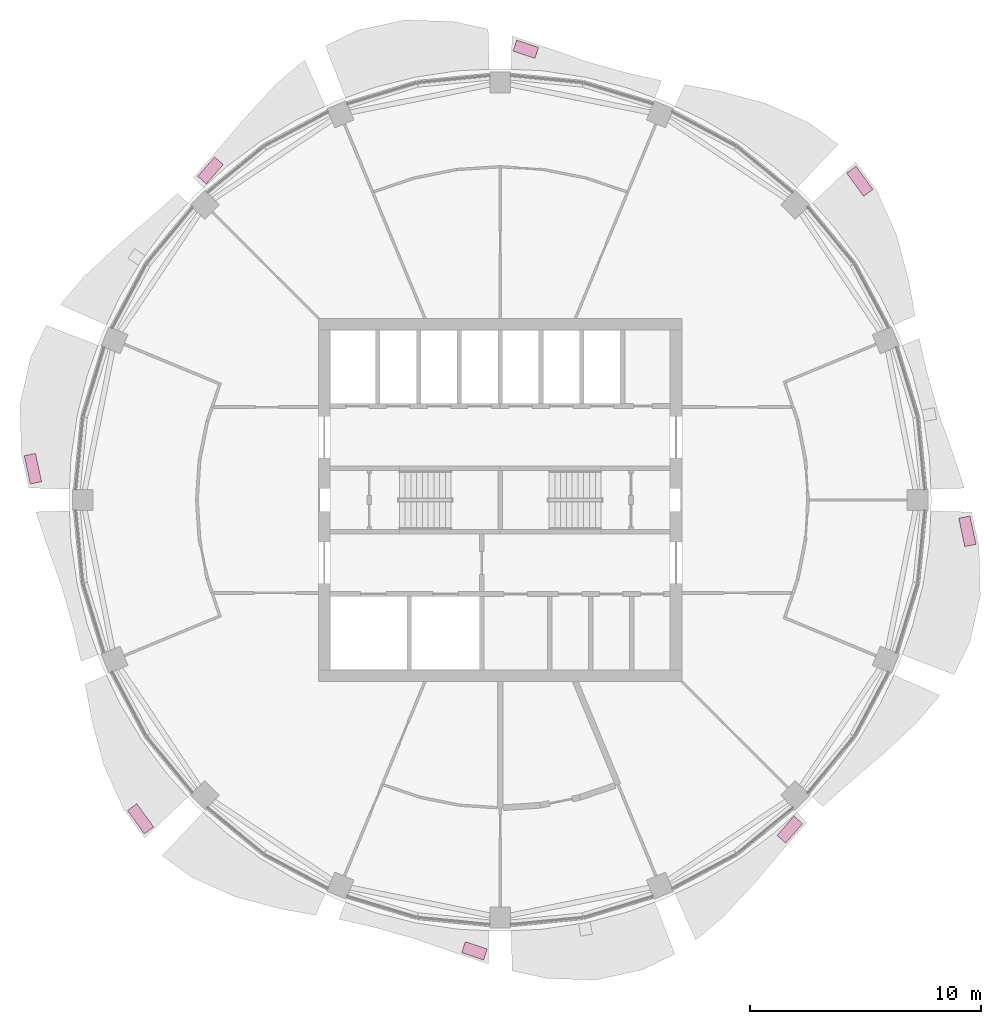
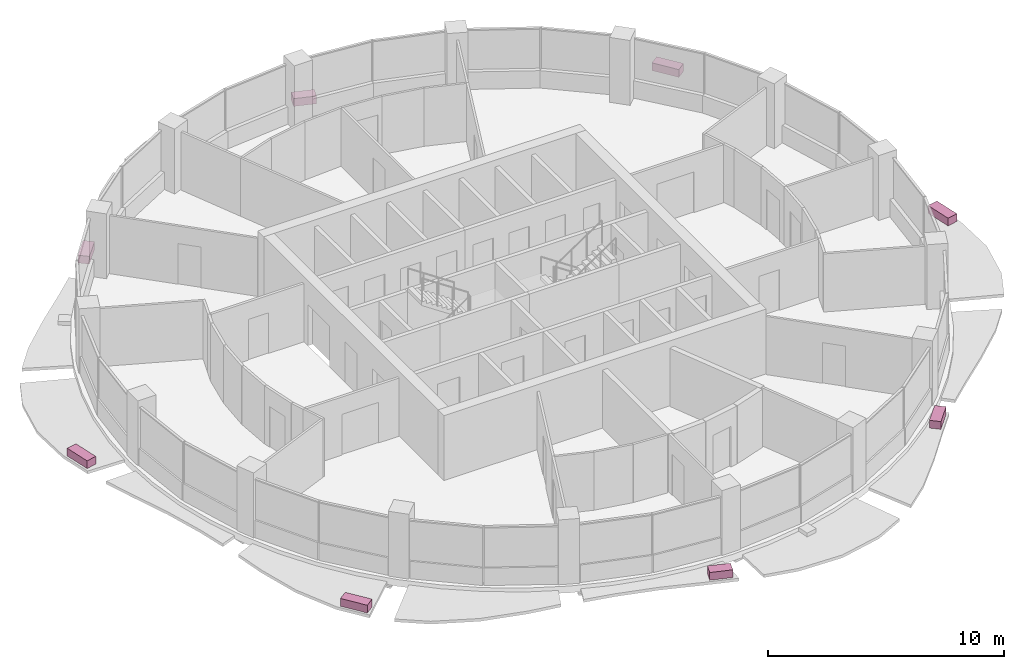
# One storey, part 15 of 15: 8 furniture elements.
"""IFC4 building model written with IfcOpenShell, lengths in metres."""

from ifc_helpers import new_model, si_unit, direction, frame, origin, origin_2d, place, context, subcontext, project, spatial, rectangle, extrude, material, type_object, element, save


model = new_model("IFC4")

# Units and contexts
model_context = context("Model", 3, precision=1e-05, world=origin(), true_north=direction((0.0, 1.0)))
body_context = subcontext(model_context, "Body", "Model", "MODEL_VIEW")
ifc_project = project(units=[si_unit("LENGTHUNIT", "METRE"), si_unit("AREAUNIT", "SQUARE_METRE"), si_unit("VOLUMEUNIT", "CUBIC_METRE"), si_unit("PLANEANGLEUNIT", "RADIAN"), si_unit("MASSUNIT", "GRAM", prefix="KILO")], contexts=[model_context])

# Site, building, storey
site_placement = place(None, origin())
site = spatial("IfcSite", under=ifc_project, at=site_placement, CompositionType="ELEMENT")
building_placement = place(site_placement, origin())
building = spatial("IfcBuilding", under=site, at=building_placement, Name="Polderwave Tower", CompositionType="ELEMENT")
storey_placement = place(building_placement, frame((0.0, 0.0, 170.89990234375)))
storey = spatial("IfcBuildingStorey", under=building, at=storey_placement, Name="L45", CompositionType="ELEMENT", Elevation=170.89990234375)

# Furniture
ifc_material = material(Name="Terracotta", Category="masonry")
furniture_type = type_object("IfcFurnitureType", Name="Terracotta planting trough", AssemblyPlace="NOTDEFINED", PredefinedType="USERDEFINED", material=ifc_material)
furniture_1_placement = place(storey_placement, frame((15.591796875, 13.820556640625, -0.199951171875), z_axis=(0.0, 0.0, 1.0), x_axis=(-0.589780029761, 0.80756393957, 0.0)))
element("IfcFurniture", 1, at=furniture_1_placement, inside=storey, type_object=furniture_type, Name="Planting trough L45 2", ObjectType="PLANTER", PredefinedType="USERDEFINED", context=body_context, shape_type="SweptSolid", body=[
    extrude(rectangle(XDim=1.2470703125, YDim=0.5, at=origin_2d()), origin(), (0.0, 0.0, 1.0), 0.39990234375),
])
furniture_2_placement = place(storey_placement, frame((1.11328125, 19.545654296875, -0.199951171875), z_axis=(0.0, 0.0, 1.0), x_axis=(-0.948888681844, 0.315610946368, 0.0)))
element("IfcFurniture", 2, at=furniture_2_placement, inside=storey, type_object=furniture_type, Name="Planting trough L45 4", ObjectType="PLANTER", PredefinedType="USERDEFINED", context=body_context, shape_type="SweptSolid", body=[
    extrude(rectangle(XDim=0.998291015625, YDim=0.5, at=origin_2d()), origin(), (0.0, 0.0, 1.0), 0.39990234375),
])
furniture_3_placement = place(storey_placement, frame((-12.560302734375, 14.289306640625, -0.199951171875), z_axis=(0.0, 0.0, 1.0), x_axis=(-0.660562678764, -0.75077090209, 0.0)))
element("IfcFurniture", 3, at=furniture_3_placement, inside=storey, type_object=furniture_type, Name="Planting trough L45 6", ObjectType="PLANTER", PredefinedType="USERDEFINED", context=body_context, shape_type="SweptSolid", body=[
    extrude(rectangle(XDim=1.119873046875, YDim=0.5, at=origin_2d()), origin(), (0.0, 0.0, 1.0), 0.39990234375),
])
furniture_4_placement = place(storey_placement, frame((-20.25830078125, 1.356201171875, -0.199951171875), z_axis=(0.0, 0.0, 1.0), x_axis=(0.208693517155, -0.977981091789, 0.0)))
element("IfcFurniture", 4, at=furniture_4_placement, inside=storey, type_object=furniture_type, Name="Planting trough L45 8", ObjectType="PLANTER", PredefinedType="USERDEFINED", context=body_context, shape_type="SweptSolid", body=[
    extrude(rectangle(XDim=1.25830078125, YDim=0.5, at=origin_2d()), origin(), (0.0, 0.0, 1.0), 0.39990234375),
])
furniture_5_placement = place(storey_placement, frame((-15.591796875, -13.820556640625, -0.199951171875), z_axis=(0.0, 0.0, 1.0), x_axis=(0.589780029761, -0.80756393957, 0.0)))
element("IfcFurniture", 5, at=furniture_5_placement, inside=storey, type_object=furniture_type, Name="Planting trough L45 10", ObjectType="PLANTER", PredefinedType="USERDEFINED", context=body_context, shape_type="SweptSolid", body=[
    extrude(rectangle(XDim=1.2470703125, YDim=0.5, at=origin_2d()), origin(), (0.0, 0.0, 1.0), 0.39990234375),
])
furniture_6_placement = place(storey_placement, frame((-1.11328125, -19.545654296875, -0.199951171875), z_axis=(0.0, 0.0, 1.0), x_axis=(0.948888681844, -0.315610946368, 0.0)))
element("IfcFurniture", 6, at=furniture_6_placement, inside=storey, type_object=furniture_type, Name="Planting trough L45 12", ObjectType="PLANTER", PredefinedType="USERDEFINED", context=body_context, shape_type="SweptSolid", body=[
    extrude(rectangle(XDim=0.998291015625, YDim=0.5, at=origin_2d()), origin(), (0.0, 0.0, 1.0), 0.39990234375),
])
furniture_7_placement = place(storey_placement, frame((12.560302734375, -14.289306640625, -0.199951171875), z_axis=(0.0, 0.0, 1.0), x_axis=(0.660562678764, 0.75077090209, 0.0)))
element("IfcFurniture", 7, at=furniture_7_placement, inside=storey, type_object=furniture_type, Name="Planting trough L45 14", ObjectType="PLANTER", PredefinedType="USERDEFINED", context=body_context, shape_type="SweptSolid", body=[
    extrude(rectangle(XDim=1.119873046875, YDim=0.5, at=origin_2d()), origin(), (0.0, 0.0, 1.0), 0.39990234375),
])
furniture_8_placement = place(storey_placement, frame((20.25830078125, -1.356201171875, -0.199951171875), z_axis=(0.0, 0.0, 1.0), x_axis=(-0.208693517155, 0.977981091789, 0.0)))
element("IfcFurniture", 8, at=furniture_8_placement, inside=storey, type_object=furniture_type, Name="Planting trough L45 16", ObjectType="PLANTER", PredefinedType="USERDEFINED", context=body_context, shape_type="SweptSolid", body=[
    extrude(rectangle(XDim=1.25830078125, YDim=0.5, at=origin_2d()), origin(), (0.0, 0.0, 1.0), 0.39990234375),
])

save(model, "model.ifc")
